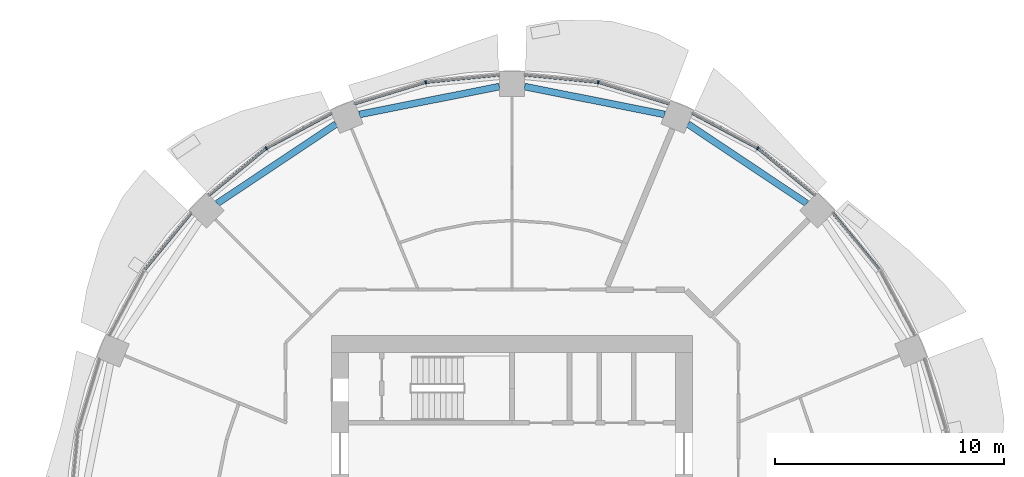
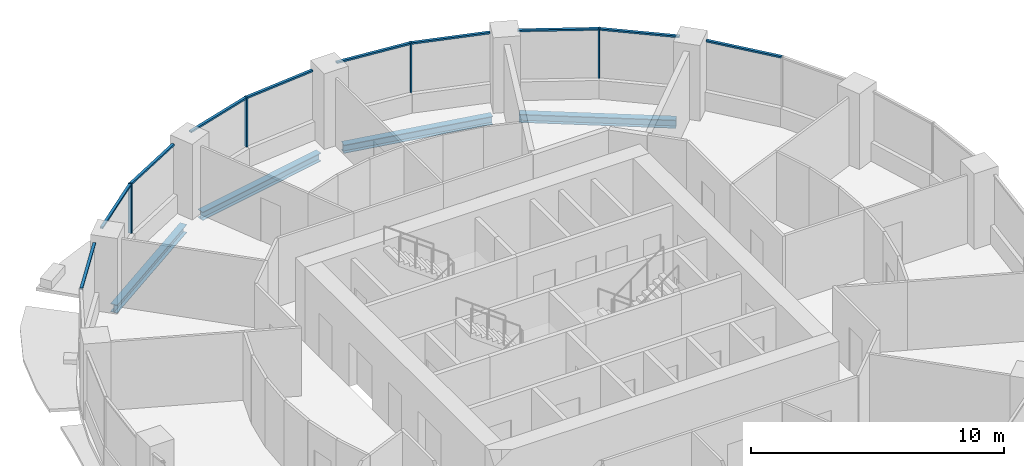
# One storey, part 6 of 15: 14 members, 4 beams, 6 elements without a shape of their own.
"""IFC4 building model written with IfcOpenShell, lengths in metres."""

from ifc_helpers import new_model, si_unit, direction, frame, origin, origin_2d, place, context, subcontext, project, spatial, rectangle, i_section, extrude, material, material_profile, profile_set, type_object, element, aggregate, save


model = new_model("IFC4")

# Units and contexts
model_context = context("Model", 3, precision=1e-05, world=origin(), true_north=direction((0.0, 1.0)))
body_context = subcontext(model_context, "Body", "Model", "MODEL_VIEW")
ifc_project = project(units=[si_unit("LENGTHUNIT", "METRE"), si_unit("AREAUNIT", "SQUARE_METRE"), si_unit("VOLUMEUNIT", "CUBIC_METRE"), si_unit("PLANEANGLEUNIT", "RADIAN"), si_unit("MASSUNIT", "GRAM", prefix="KILO")], contexts=[model_context])

# Site, building, storey
site_placement = place(None, origin())
site = spatial("IfcSite", under=ifc_project, at=site_placement, CompositionType="ELEMENT")
building_placement = place(site_placement, origin())
building = spatial("IfcBuilding", under=site, at=building_placement, Name="Polderwave Tower", CompositionType="ELEMENT")
storey_placement = place(building_placement, frame((0.0, 0.0, 76.39990234375)))
storey = spatial("IfcBuildingStorey", under=building, at=storey_placement, Name="L19", CompositionType="ELEMENT", Elevation=76.39990234375)

# Curtain wall, member
ifc_material_1 = material(Name="Aluminium 6063-T6 and glass", Category="aluminium")
curtain_wall_type = type_object("IfcCurtainWallType", Name="Growing floor ribbon glazing wall", PredefinedType="NOTDEFINED", material=ifc_material_1)
curtain_wall_1_placement = place(storey_placement, origin())
curtain_wall_1 = element("IfcCurtainWall", 1, at=curtain_wall_1_placement, inside=storey, type_object=curtain_wall_type, Name="CW2 L19 02", PredefinedType="NOTDEFINED")
ifc_material_2 = material(Name="Aluminium 6063-T6", Category="aluminium")
ifc_material_profile_1 = material_profile(ifc_material_2, rectangle(XDim=0.14990234375, YDim=0.06005859375, at=origin_2d()), Name="AL 60x150")
ifc_profile_set_1 = profile_set([ifc_material_profile_1], Name="Aluminium 6063-T6")
member_type_1 = type_object("IfcMemberType", Name="Growing floor ribbon glazing mullion 60x150", PredefinedType="MULLION", material=ifc_profile_set_1)
member_1_placement = place(storey_placement, frame((10.717041015625, 16.0390625, 0.900146484375), z_axis=(0.0, 0.0, 1.0), x_axis=(-0.555496220219, -0.831519061311, 0.0)))
member_1 = element("IfcMember", 2, at=member_1_placement, type_object=member_type_1, Name="CW2 mullion 1", PredefinedType="MULLION", context=body_context, shape_type="SweptSolid", body=[
    extrude(rectangle(XDim=0.14990234375, YDim=0.06005859375, at=origin_2d()), origin(), (0.0, 0.0, 1.0), 2.39990234375),
])

curtain_wall_2_placement = place(storey_placement, origin())
curtain_wall_2 = element("IfcCurtainWall", 3, at=curtain_wall_2_placement, inside=storey, type_object=curtain_wall_type, Name="CW2 L19 03", PredefinedType="NOTDEFINED")
member_2_placement = place(storey_placement, frame((3.762939453125, 18.9189453125, 0.900146484375), z_axis=(0.0, 0.0, 1.0), x_axis=(-0.19512284598, -0.980778810424, 0.0)))
member_2 = element("IfcMember", 4, at=member_2_placement, type_object=member_type_1, Name="CW2 mullion 1", PredefinedType="MULLION", context=body_context, shape_type="SweptSolid", body=[
    extrude(rectangle(XDim=0.14990234375, YDim=0.06005859375, at=origin_2d()), origin(), (0.0, 0.0, 1.0), 2.39990234375),
])

curtain_wall_3_placement = place(storey_placement, origin())
curtain_wall_3 = element("IfcCurtainWall", 5, at=curtain_wall_3_placement, inside=storey, type_object=curtain_wall_type, Name="CW2 L19 04", PredefinedType="NOTDEFINED")
member_3_placement = place(storey_placement, frame((-3.762939453125, 18.9189453125, 0.900146484375), z_axis=(0.0, 0.0, 1.0), x_axis=(0.19512284598, -0.980778810424, 0.0)))
member_3 = element("IfcMember", 6, at=member_3_placement, type_object=member_type_1, Name="CW2 mullion 1", PredefinedType="MULLION", context=body_context, shape_type="SweptSolid", body=[
    extrude(rectangle(XDim=0.14990234375, YDim=0.06005859375, at=origin_2d()), origin(), (0.0, 0.0, 1.0), 2.39990234375),
])

curtain_wall_4_placement = place(storey_placement, origin())
curtain_wall_4 = element("IfcCurtainWall", 7, at=curtain_wall_4_placement, inside=storey, type_object=curtain_wall_type, Name="CW2 L19 05", PredefinedType="NOTDEFINED")
member_4_placement = place(storey_placement, frame((-10.717041015625, 16.0390625, 0.900146484375), z_axis=(0.0, 0.0, 1.0), x_axis=(0.555496220219, -0.831519061311, 0.0)))
member_4 = element("IfcMember", 8, at=member_4_placement, type_object=member_type_1, Name="CW2 mullion 1", PredefinedType="MULLION", context=body_context, shape_type="SweptSolid", body=[
    extrude(rectangle(XDim=0.14990234375, YDim=0.06005859375, at=origin_2d()), origin(), (0.0, 0.0, 1.0), 2.39990234375),
])

curtain_wall_5_placement = place(storey_placement, origin())
curtain_wall_5 = element("IfcCurtainWall", 9, at=curtain_wall_5_placement, inside=storey, type_object=curtain_wall_type, Name="CW2 L19 01", PredefinedType="NOTDEFINED")
ifc_material_profile_2 = material_profile(ifc_material_2, rectangle(XDim=0.1201171875, YDim=0.080078125, at=origin_2d()), Name="AL 80x120")
ifc_profile_set_2 = profile_set([ifc_material_profile_2], Name="Aluminium 6063-T6")
member_type_2 = type_object("IfcMemberType", Name="Growing floor ribbon glazing transom 80x120", PredefinedType="USERDEFINED", material=ifc_profile_set_2)
member_5_placement = place(storey_placement, frame((16.02001953125, 10.740234375, 3.260009765625), z_axis=(-0.634355209348, 0.773041698987, 0.0), x_axis=(-0.773041698987, -0.634355209348, 0.0)))
member_5 = element("IfcMember", 10, at=member_5_placement, type_object=member_type_2, Name="CW2 transom 2", ObjectType="TRANSOM", PredefinedType="USERDEFINED", context=body_context, shape_type="SweptSolid", body=[
    extrude(rectangle(XDim=0.1201171875, YDim=0.080078125, at=origin_2d()), origin(), (0.0, 0.0, 1.0), 3.198486328125),
])
aggregate(curtain_wall_5, [member_5])

# Member
member_6_placement = place(storey_placement, frame((13.212890625, 13.990966796875, 3.260009765625), z_axis=(-0.773041698987, 0.634355209348, 0.0), x_axis=(-0.634355209348, -0.773041698987, 0.0)))
member_6 = element("IfcMember", 11, at=member_6_placement, type_object=member_type_2, Name="CW2 transom 1", ObjectType="TRANSOM", PredefinedType="USERDEFINED", context=body_context, shape_type="SweptSolid", body=[
    extrude(rectangle(XDim=0.1201171875, YDim=0.080078125, at=origin_2d()), origin(), (0.0, 0.0, 1.0), 3.198486328125),
])

member_7_placement = place(storey_placement, frame((10.6904296875, 16.052978515625, 3.260009765625), z_axis=(-0.881932215645, 0.471376247819, 0.0), x_axis=(-0.471376247819, -0.881932215645, 0.0)))
member_7 = element("IfcMember", 12, at=member_7_placement, type_object=member_type_2, Name="CW2 transom 2", ObjectType="TRANSOM", PredefinedType="USERDEFINED", context=body_context, shape_type="SweptSolid", body=[
    extrude(rectangle(XDim=0.1201171875, YDim=0.080078125, at=origin_2d()), origin(), (0.0, 0.0, 1.0), 3.19921875),
])

aggregate(curtain_wall_1, [member_1, member_6, member_7])

member_8_placement = place(storey_placement, frame((6.85302734375, 17.98193359375, 3.260009765625), z_axis=(-0.956954412848, 0.290238267171, 0.0), x_axis=(-0.290238267171, -0.956954412848, 0.0)))
member_8 = element("IfcMember", 13, at=member_8_placement, type_object=member_type_2, Name="CW2 transom 1", ObjectType="TRANSOM", PredefinedType="USERDEFINED", context=body_context, shape_type="SweptSolid", body=[
    extrude(rectangle(XDim=0.1201171875, YDim=0.080078125, at=origin_2d()), origin(), (0.0, 0.0, 1.0), 3.198974609375),
])

member_9_placement = place(storey_placement, frame((3.733154296875, 18.921875, 3.260009765625), z_axis=(-0.995163341514, 0.098234025198, 0.0), x_axis=(-0.098234025198, -0.995163341514, 0.0)))
member_9 = element("IfcMember", 14, at=member_9_placement, type_object=member_type_2, Name="CW2 transom 2", ObjectType="TRANSOM", PredefinedType="USERDEFINED", context=body_context, shape_type="SweptSolid", body=[
    extrude(rectangle(XDim=0.1201171875, YDim=0.080078125, at=origin_2d()), origin(), (0.0, 0.0, 1.0), 3.198486328125),
])

aggregate(curtain_wall_2, [member_2, member_8, member_9])

member_10_placement = place(storey_placement, frame((-0.550048828125, 19.236083984375, 3.260009765625), z_axis=(-0.995163341514, -0.098234025198, 0.0), x_axis=(0.098234025198, -0.995163341514, 0.0)))
member_10 = element("IfcMember", 15, at=member_10_placement, type_object=member_type_2, Name="CW2 transom 1", ObjectType="TRANSOM", PredefinedType="USERDEFINED", context=body_context, shape_type="SweptSolid", body=[
    extrude(rectangle(XDim=0.1201171875, YDim=0.080078125, at=origin_2d()), origin(), (0.0, 0.0, 1.0), 3.198486328125),
])

member_11_placement = place(storey_placement, frame((-3.791748046875, 18.910400390625, 3.260009765625), z_axis=(-0.956954412848, -0.290238267171, 0.0), x_axis=(0.290238267171, -0.956954412848, 0.0)))
member_11 = element("IfcMember", 16, at=member_11_placement, type_object=member_type_2, Name="CW2 transom 2", ObjectType="TRANSOM", PredefinedType="USERDEFINED", context=body_context, shape_type="SweptSolid", body=[
    extrude(rectangle(XDim=0.1201171875, YDim=0.080078125, at=origin_2d()), origin(), (0.0, 0.0, 1.0), 3.198974609375),
])

aggregate(curtain_wall_3, [member_3, member_10, member_11])

member_12_placement = place(storey_placement, frame((-7.868896484375, 17.56103515625, 3.260009765625), z_axis=(-0.881932215645, -0.471376247819, 0.0), x_axis=(0.471376247819, -0.881932215645, 0.0)))
member_12 = element("IfcMember", 17, at=member_12_placement, type_object=member_type_2, Name="CW2 transom 1", ObjectType="TRANSOM", PredefinedType="USERDEFINED", context=body_context, shape_type="SweptSolid", body=[
    extrude(rectangle(XDim=0.1201171875, YDim=0.080078125, at=origin_2d()), origin(), (0.0, 0.0, 1.0), 3.19921875),
])

member_13_placement = place(storey_placement, frame((-10.740234375, 16.02001953125, 3.260009765625), z_axis=(-0.773041698987, -0.634355209348, 0.0), x_axis=(0.634355209348, -0.773041698987, 0.0)))
member_13 = element("IfcMember", 18, at=member_13_placement, type_object=member_type_2, Name="CW2 transom 2", ObjectType="TRANSOM", PredefinedType="USERDEFINED", context=body_context, shape_type="SweptSolid", body=[
    extrude(rectangle(XDim=0.1201171875, YDim=0.080078125, at=origin_2d()), origin(), (0.0, 0.0, 1.0), 3.198486328125),
])

aggregate(curtain_wall_4, [member_4, member_12, member_13])

# Curtain wall, member
curtain_wall_6_placement = place(storey_placement, origin())
curtain_wall_6 = element("IfcCurtainWall", 19, at=curtain_wall_6_placement, inside=storey, type_object=curtain_wall_type, Name="CW2 L19 06", PredefinedType="NOTDEFINED")
member_14_placement = place(storey_placement, frame((-13.990966796875, 13.212890625, 3.260009765625), z_axis=(-0.634355209348, -0.773041698987, 0.0), x_axis=(0.773041698987, -0.634355209348, 0.0)))
member_14 = element("IfcMember", 20, at=member_14_placement, type_object=member_type_2, Name="CW2 transom 1", ObjectType="TRANSOM", PredefinedType="USERDEFINED", context=body_context, shape_type="SweptSolid", body=[
    extrude(rectangle(XDim=0.1201171875, YDim=0.080078125, at=origin_2d()), origin(), (0.0, 0.0, 1.0), 3.198486328125),
])
aggregate(curtain_wall_6, [member_14])

# Beams
ifc_material_3 = material(Name="Steel S355", Category="steel")
ifc_material_profile_3 = material_profile(ifc_material_3, i_section(OverallWidth=0.300048828125, OverallDepth=0.39990234375, WebThickness=0.013427734375, FlangeThickness=0.02392578125, at=origin_2d()), Name="HE 400 B")
ifc_profile_set_3 = profile_set([ifc_material_profile_3], Name="Steel S355")
beam_type = type_object("IfcBeamType", Name="RING BEAM HE 400 B", PredefinedType="BEAM", material=ifc_profile_set_3)
beam_1_placement = place(storey_placement, frame((12.855712890625, 13.633544921875, -0.5498046875), z_axis=(-0.831489127752, 0.555541024975, 0.0), x_axis=(-0.555541024975, -0.831489127752, 0.0)))
element("IfcBeam", 21, at=beam_1_placement, inside=storey, type_object=beam_type, Name="ST-RB-L19-02", PredefinedType="BEAM", context=body_context, shape_type="SweptSolid", body=[
    extrude(i_section(OverallWidth=0.300048828125, OverallDepth=0.39990234375, WebThickness=0.013427734375, FlangeThickness=0.02392578125, at=origin_2d()), origin(), (0.0, 0.0, 1.0), 6.2294921875),
])
for number, where, z_axis, x_axis, name in (
    (22, (6.65966796875, 17.515380859375, -0.5498046875), (-0.980783645519, 0.195098540955, 0.0), (-0.195098540955, -0.980783645519, 0.0), "ST-RB-L19-03"),
    (23, (-0.550048828125, 18.730712890625, -0.5498046875), (-0.980783645519, -0.195098540955, 0.0), (0.195098540955, -0.980783645519, 0.0), "ST-RB-L19-04"),
):
    element("IfcBeam", number, at=place(storey_placement, frame(where, z_axis=z_axis, x_axis=x_axis)), inside=storey, type_object=beam_type, Name=name, PredefinedType="BEAM", context=body_context, shape_type="SweptSolid", body=[
        extrude(i_section(OverallWidth=0.300048828125, OverallDepth=0.39990234375, WebThickness=0.013427734375, FlangeThickness=0.02392578125, at=origin_2d()), origin(), (0.0, 0.0, 1.0), 6.229248046875),
    ])
beam_2_placement = place(storey_placement, frame((-7.676025390625, 17.09423828125, -0.5498046875), z_axis=(-0.831489127752, -0.555541024975, 0.0), x_axis=(0.555541024975, -0.831489127752, 0.0)))
element("IfcBeam", 24, at=beam_2_placement, inside=storey, type_object=beam_type, Name="ST-RB-L19-05", PredefinedType="BEAM", context=body_context, shape_type="SweptSolid", body=[
    extrude(i_section(OverallWidth=0.300048828125, OverallDepth=0.39990234375, WebThickness=0.013427734375, FlangeThickness=0.02392578125, at=origin_2d()), origin(), (0.0, 0.0, 1.0), 6.2294921875),
])

save(model, "model.ifc")
